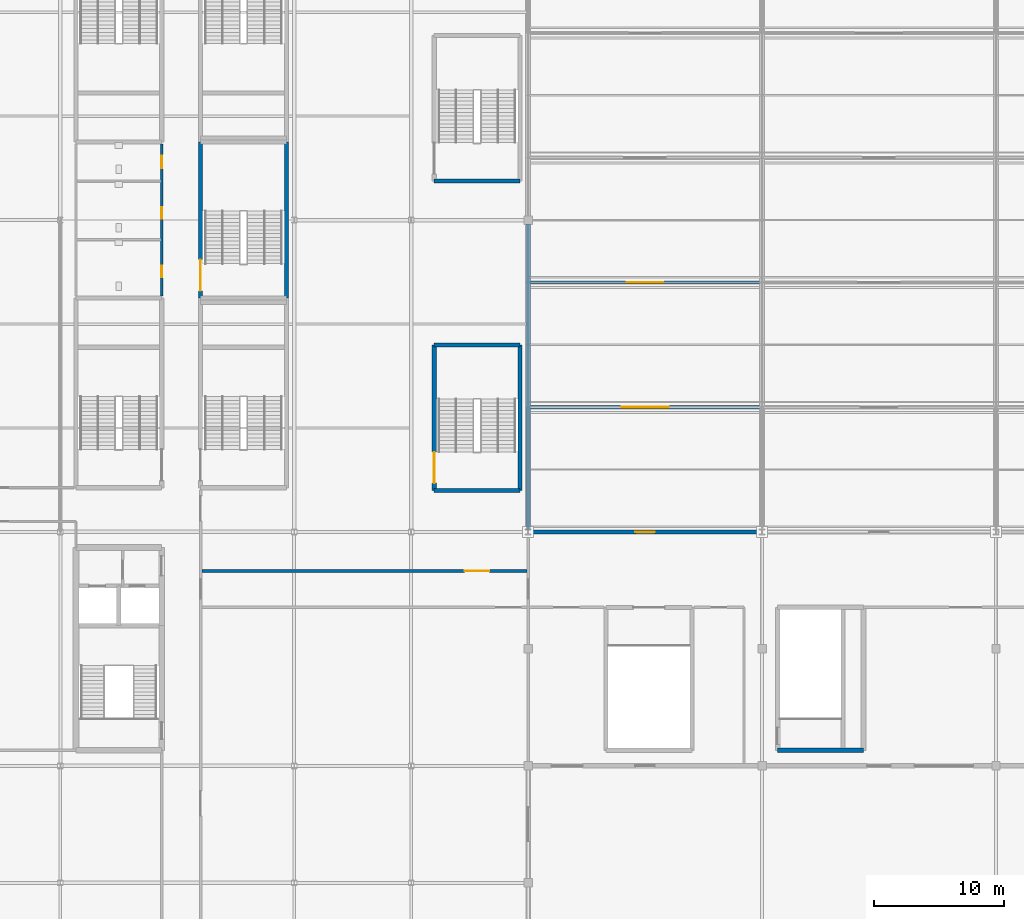
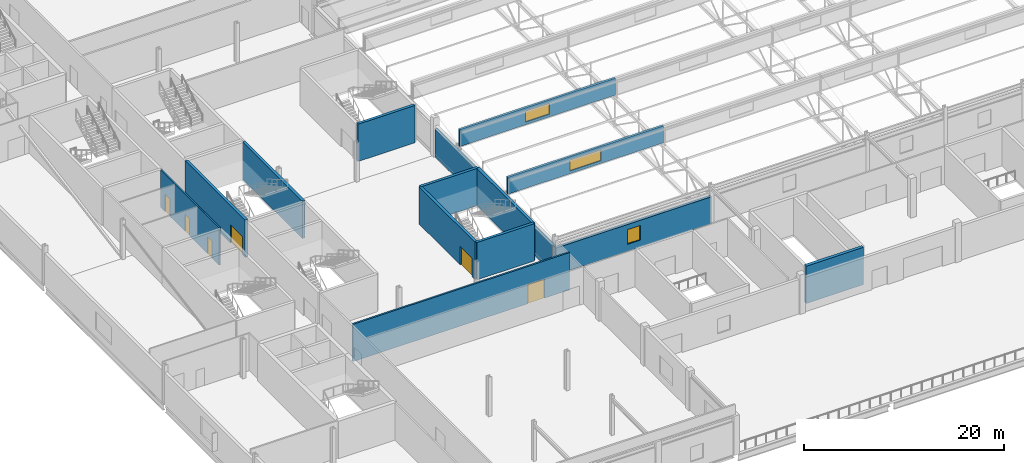
# One storey, part 96 of 136: 14 walls, 6 doors, 3 windows, 9 openings.
"""IFC4 building model written with IfcOpenShell, lengths in metres."""

from ifc_helpers import new_model, si_unit, direction, frame, frame_2d, origin, place, context, subcontext, project, spatial, rectangle, extrude, material, layer, layer_set, type_object, element, fill, save


model = new_model("IFC4")

# Units and contexts
model_context = context("Model", 3, precision=1e-05, world=origin(), true_north=direction((0.0, 1.0)))
body_context = subcontext(model_context, "Body", "Model", "MODEL_VIEW")
ifc_project = project(units=[si_unit("LENGTHUNIT", "METRE"), si_unit("AREAUNIT", "SQUARE_METRE"), si_unit("VOLUMEUNIT", "CUBIC_METRE"), si_unit("PLANEANGLEUNIT", "RADIAN"), si_unit("MASSUNIT", "GRAM", prefix="KILO")], contexts=[model_context])

# Site, building, storey
site_placement = place(None, origin())
site = spatial("IfcSite", under=ifc_project, at=site_placement, CompositionType="ELEMENT")
building_placement = place(site_placement, origin())
building = spatial("IfcBuilding", under=site, at=building_placement, Name="Kisiwana Market Hall", CompositionType="ELEMENT")
storey_placement = place(building_placement, frame((0.0, 0.0, 16.800048828125)))
storey = spatial("IfcBuildingStorey", under=building, at=storey_placement, Name="L03", CompositionType="ELEMENT", Elevation=16.800048828125)

# Wall, opening, door
ifc_material_1 = material(Name="Masonry blockwork", Category="masonry")
ifc_layer_1 = layer(ifc_material_1, 0.199951171875, Name="Plastered fire compartment block wall")
ifc_layer_set_1 = layer_set([ifc_layer_1], Name="WL-COMP-200")
wall_type_1 = type_object("IfcWallType", Name="WL-COMP-200", PredefinedType="PARTITIONING", material=ifc_layer_set_1)
wall_1_placement = place(storey_placement, frame((19.89990234375, 33.0, 0.0), z_axis=(0.0, 0.0, 1.0), x_axis=(1.0, 0.0, 0.0)))
wall_1 = element("IfcWall", 1, at=wall_1_placement, inside=storey, type_object=wall_type_1, Name="Interior partition W-1457", PredefinedType="PARTITIONING", context=body_context, shape_type="SweptSolid", body=[
    extrude(rectangle(XDim=25.01513671875, YDim=0.199951171875, at=frame_2d((12.507568359375, 0.0))), origin(), (0.0, 0.0, 1.0), 4.554931640625),
])
opening_1_placement = place(wall_1_placement, frame((20.219970703125, 0.0, 0.0)))
opening_1 = element("IfcOpeningElement", 2, at=opening_1_placement, cuts=wall_1, Name="Opening DR-L03-053", PredefinedType="OPENING", context=body_context, shape_type="SweptSolid", body=[
    extrude(rectangle(XDim=1.89990234375, YDim=2.35009765625, at=frame_2d((0.949951171875, 1.175048828125))), frame((0.0, 0.11181640625, 0.0), z_axis=(0.0, -1.0, 0.0), x_axis=(1.0, 0.0, 0.0)), (0.0, 0.0, 1.0), 0.223876953125),
])
ifc_material_2 = material(Name="Steel S275", Category="steel")
door_type_1 = type_object("IfcDoorType", Name="DR-HALL-1900", OperationType="DOUBLE_DOOR_SINGLE_SWING", PredefinedType="DOOR", material=ifc_material_2)
door_1_placement = place(opening_1_placement, origin())
door_1 = element("IfcDoor", 3, at=door_1_placement, inside=storey, type_object=door_type_1, Name="L03 W Civic Conference Hall Exit Door", OperationType="DOUBLE_DOOR_SINGLE_SWING", OverallHeight=2.35009765625, OverallWidth=1.89990234375, PredefinedType="DOOR", context=body_context, shape_type="SweptSolid", body=[
    extrude(rectangle(XDim=1.89990234375, YDim=2.35009765625, at=frame_2d((0.949951171875, 1.175048828125))), frame((0.0, 0.02490234375, 0.0), z_axis=(0.0, -1.0, 0.0), x_axis=(1.0, 0.0, 0.0)), (0.0, 0.0, 1.0), 0.050048828125),
])
fill(opening_1, door_1)

# Walls
ifc_material_3 = material(Name="Concrete C40/50", Category="concrete")
ifc_layer_2 = layer(ifc_material_3, 0.320068359375, Name="Reinforced concrete shaft wall")
ifc_layer_set_2 = layer_set([ifc_layer_2], Name="WL-CORE-320")
wall_type_2 = type_object("IfcWallType", Name="WL-CORE-320", PredefinedType="SHEAR", material=ifc_layer_set_2)
for number, where, z_axis, x_axis, name in (
    (4, (37.77001953125, 39.199951171875, 0.0), (0.0, 0.0, 1.0), (1.0, 0.0, 0.0), "Core W9 south shear wall W-1282"),
    (5, (37.77001953125, 50.39990234375, 0.0), (0.0, 0.0, 1.0), (1.0, 0.0, 0.0), "Core W9 north shear wall W-1283"),
):
    element("IfcWall", number, at=place(storey_placement, frame(where, z_axis=z_axis, x_axis=x_axis)), inside=storey, type_object=wall_type_2, Name=name, PredefinedType="SHEAR", context=body_context, shape_type="SweptSolid", body=[
        extrude(rectangle(XDim=6.60009765625, YDim=0.320068359375, at=frame_2d((3.300048828125, 0.0))), origin(), (0.0, 0.0, 1.0), 4.554931640625),
    ])

# Wall, opening, door
wall_2_placement = place(storey_placement, frame((37.77001953125, 39.199951171875, 0.0), z_axis=(0.0, 0.0, 1.0), x_axis=(0.0, 1.0, 0.0)))
wall_2 = element("IfcWall", 6, at=wall_2_placement, inside=storey, type_object=wall_type_2, Name="Core W9 corridor shear wall W-1284", PredefinedType="SHEAR", context=body_context, shape_type="SweptSolid", body=[
    extrude(rectangle(XDim=11.199951171875, YDim=0.320068359375, at=frame_2d((5.60009765625, 0.0))), origin(), (0.0, 0.0, 1.0), 4.554931640625),
])
opening_2_placement = place(wall_2_placement, frame((0.550048828125, 0.0, 0.0)))
opening_2 = element("IfcOpeningElement", 7, at=opening_2_placement, cuts=wall_2, Name="Opening DR-L03-027", PredefinedType="OPENING", context=body_context, shape_type="SweptSolid", body=[
    extrude(rectangle(XDim=2.39990234375, YDim=2.25, at=frame_2d((1.199951171875, 1.125))), frame((0.0, 0.171875, 0.0), z_axis=(0.0, -1.0, 0.0), x_axis=(1.0, 0.0, 0.0)), (0.0, 0.0, 1.0), 0.343994140625),
])
ifc_material_4 = material(Name="Steel S275", Category="steel")
door_type_2 = type_object("IfcDoorType", Name="DR-STAIR-FD120-2400", OperationType="DOUBLE_DOOR_SINGLE_SWING", PredefinedType="DOOR", material=ifc_material_4)
door_2_placement = place(opening_2_placement, frame((2.39990234375, 0.0, 0.0), z_axis=(0.0, 0.0, 1.0), x_axis=(-1.0, 0.0, 0.0)))
door_2 = element("IfcDoor", 8, at=door_2_placement, inside=storey, type_object=door_type_2, Name="Escape Stair W9 Fire Door (L03)", OperationType="DOUBLE_DOOR_SINGLE_SWING", OverallHeight=2.25, OverallWidth=2.39990234375, PredefinedType="DOOR", context=body_context, shape_type="SweptSolid", body=[
    extrude(rectangle(XDim=2.39990234375, YDim=2.25, at=frame_2d((1.199951171875, 1.125))), frame((0.0, 0.02490234375, 0.0), z_axis=(0.0, -1.0, 0.0), x_axis=(1.0, 0.0, 0.0)), (0.0, 0.0, 1.0), 0.050048828125),
])
fill(opening_2, door_2)

# Walls
wall_3_placement = place(storey_placement, frame((44.3701171875, 39.199951171875, 0.0), z_axis=(0.0, 0.0, 1.0), x_axis=(0.0, 1.0, 0.0)))
element("IfcWall", 9, at=wall_3_placement, inside=storey, type_object=wall_type_2, Name="Core W9 outer shear wall W-1285", PredefinedType="SHEAR", context=body_context, shape_type="SweptSolid", body=[
    extrude(rectangle(XDim=11.199951171875, YDim=0.320068359375, at=frame_2d((5.60009765625, 0.0))), origin(), (0.0, 0.0, 1.0), 4.554931640625),
])
wall_4_placement = place(storey_placement, frame((37.77001953125, 63.0, 0.0), z_axis=(0.0, 0.0, 1.0), x_axis=(1.0, 0.0, 0.0)))
element("IfcWall", 10, at=wall_4_placement, inside=storey, type_object=wall_type_2, Name="Core W10 south shear wall W-1290", PredefinedType="SHEAR", context=body_context, shape_type="SweptSolid", body=[
    extrude(rectangle(XDim=6.60009765625, YDim=0.320068359375, at=frame_2d((3.300048828125, 0.0))), origin(), (0.0, 0.0, 1.0), 4.554931640625),
])

# Wall, opening, door
wall_5_placement = place(storey_placement, frame((19.800048828125, 54.0, 0.0), z_axis=(0.0, 0.0, 1.0), x_axis=(0.0, 1.0, 0.0)))
wall_5 = element("IfcWall", 11, at=wall_5_placement, inside=storey, type_object=wall_type_2, Name="Core W5 corridor shear wall W-1300", PredefinedType="SHEAR", context=body_context, shape_type="SweptSolid", body=[
    extrude(rectangle(XDim=12.0, YDim=0.320068359375, at=frame_2d((6.0, 0.0))), origin(), (0.0, 0.0, 1.0), 4.554931640625),
])
opening_3_placement = place(wall_5_placement, frame((0.550048828125, 0.0, 0.0)))
opening_3 = element("IfcOpeningElement", 12, at=opening_3_placement, cuts=wall_5, Name="Opening DR-L03-031", PredefinedType="OPENING", context=body_context, shape_type="SweptSolid", body=[
    extrude(rectangle(XDim=2.39990234375, YDim=2.25, at=frame_2d((1.199951171875, 1.125))), frame((0.0, 0.171875, 0.0), z_axis=(0.0, -1.0, 0.0), x_axis=(1.0, 0.0, 0.0)), (0.0, 0.0, 1.0), 0.343994140625),
])
door_3_placement = place(opening_3_placement, frame((2.39990234375, 0.0, 0.0), z_axis=(0.0, 0.0, 1.0), x_axis=(-1.0, 0.0, 0.0)))
door_3 = element("IfcDoor", 13, at=door_3_placement, inside=storey, type_object=door_type_2, Name="Escape Stair W5 Fire Door (L03)", OperationType="DOUBLE_DOOR_SINGLE_SWING", OverallHeight=2.25, OverallWidth=2.39990234375, PredefinedType="DOOR", context=body_context, shape_type="SweptSolid", body=[
    extrude(rectangle(XDim=2.39990234375, YDim=2.25, at=frame_2d((1.199951171875, 1.125))), frame((0.0, 0.02490234375, 0.0), z_axis=(0.0, -1.0, 0.0), x_axis=(1.0, 0.0, 0.0)), (0.0, 0.0, 1.0), 0.050048828125),
])
fill(opening_3, door_3)

# Walls
wall_6_placement = place(storey_placement, frame((26.39990234375, 54.0, 0.0), z_axis=(0.0, 0.0, 1.0), x_axis=(0.0, 1.0, 0.0)))
element("IfcWall", 14, at=wall_6_placement, inside=storey, type_object=wall_type_2, Name="Core W5 outer shear wall W-1301", PredefinedType="SHEAR", context=body_context, shape_type="SweptSolid", body=[
    extrude(rectangle(XDim=12.0, YDim=0.320068359375, at=frame_2d((6.0, 0.0))), origin(), (0.0, 0.0, 1.0), 4.554931640625),
])
ifc_material_5 = material(Name="Concrete C40/50", Category="concrete")
ifc_layer_3 = layer(ifc_material_5, 0.360107421875, Name="Reinforced concrete core wall")
ifc_layer_set_3 = layer_set([ifc_layer_3], Name="WL-CORE-360")
wall_type_3 = type_object("IfcWallType", Name="WL-CORE-360", PredefinedType="SHEAR", material=ifc_layer_set_3)
wall_7_placement = place(storey_placement, frame((64.199951171875, 19.199951171875, 0.0), z_axis=(0.0, 0.0, 1.0), x_axis=(1.0, 0.0, 0.0)))
element("IfcWall", 15, at=wall_7_placement, inside=storey, type_object=wall_type_3, Name="Core S1 south wall W-1220", PredefinedType="SHEAR", context=body_context, shape_type="SweptSolid", body=[
    extrude(rectangle(XDim=6.60009765625, YDim=0.360107421875, at=frame_2d((3.300048828125, 0.0))), origin(), (0.0, 0.0, 1.0), 4.554931640625),
])

# Wall, openings, doors
ifc_material_6 = material(Name="Masonry blockwork", Category="masonry")
ifc_layer_4 = layer(ifc_material_6, 0.169921875, Name="Protected corridor partition")
ifc_layer_set_4 = layer_set([ifc_layer_4], Name="WL-CORR-170")
wall_type_4 = type_object("IfcWallType", Name="WL-CORR-170", PredefinedType="PARTITIONING", material=ifc_layer_set_4)
wall_8_placement = place(storey_placement, frame((16.800048828125, 54.159912109375, 0.0), z_axis=(0.0, 0.0, 1.0), x_axis=(0.0, 1.0, 0.0)))
wall_8 = element("IfcWall", 16, at=wall_8_placement, inside=storey, type_object=wall_type_4, Name="Interior partition W-1443", PredefinedType="PARTITIONING", context=body_context, shape_type="SweptSolid", body=[
    extrude(rectangle(XDim=11.68017578125, YDim=0.169921875, at=frame_2d((5.840087890625, 0.0))), origin(), (0.0, 0.0, 1.0), 4.554931640625),
])
opening_4_placement = place(wall_8_placement, frame((1.43994140625, 0.0, 0.0)))
opening_4 = element("IfcOpeningElement", 17, at=opening_4_placement, cuts=wall_8, Name="Opening DR-L03-041", PredefinedType="OPENING", context=body_context, shape_type="SweptSolid", body=[
    extrude(rectangle(XDim=0.89990234375, YDim=2.10009765625, at=frame_2d((0.449951171875, 1.050048828125))), frame((0.0, 0.096923828125, 0.0), z_axis=(0.0, -1.0, 0.0), x_axis=(1.0, 0.0, 0.0)), (0.0, 0.0, 1.0), 0.19384765625),
])
opening_5_placement = place(wall_8_placement, frame((5.93994140625, 0.0, 0.0)))
opening_5 = element("IfcOpeningElement", 18, at=opening_5_placement, cuts=wall_8, Name="Opening DR-L03-042", PredefinedType="OPENING", context=body_context, shape_type="SweptSolid", body=[
    extrude(rectangle(XDim=0.89990234375, YDim=2.10009765625, at=frame_2d((0.449951171875, 1.050048828125))), frame((0.0, 0.096923828125, 0.0), z_axis=(0.0, -1.0, 0.0), x_axis=(1.0, 0.0, 0.0)), (0.0, 0.0, 1.0), 0.19384765625),
])
opening_6_placement = place(wall_8_placement, frame((9.840087890625, 0.0, 0.0)))
opening_6 = element("IfcOpeningElement", 19, at=opening_6_placement, cuts=wall_8, Name="Opening DR-L03-043", PredefinedType="OPENING", context=body_context, shape_type="SweptSolid", body=[
    extrude(rectangle(XDim=0.949951171875, YDim=2.10009765625, at=frame_2d((0.47509765625, 1.050048828125))), frame((0.0, 0.096923828125, 0.0), z_axis=(0.0, -1.0, 0.0), x_axis=(1.0, 0.0, 0.0)), (0.0, 0.0, 1.0), 0.19384765625),
])
ifc_material_7 = material(Name="Aluminium alloy 6063-T6", Category="aluminium")
door_type_3 = type_object("IfcDoorType", Name="DR-WC-ACC-950", OperationType="NOTDEFINED", PredefinedType="DOOR", material=ifc_material_7)
door_4_placement = place(opening_6_placement, origin())
door_4 = element("IfcDoor", 20, at=door_4_placement, inside=storey, type_object=door_type_3, Name="L03 W Accessible WC Door", OperationType="SINGLE_SWING_RIGHT", OverallHeight=2.10009765625, OverallWidth=0.949951171875, PredefinedType="DOOR", context=body_context, shape_type="SweptSolid", body=[
    extrude(rectangle(XDim=0.949951171875, YDim=2.10009765625, at=frame_2d((0.47509765625, 1.050048828125))), frame((0.0, 0.02490234375, 0.0), z_axis=(0.0, -1.0, 0.0), x_axis=(1.0, 0.0, 0.0)), (0.0, 0.0, 1.0), 0.050048828125),
])
fill(opening_6, door_4)
ifc_material_8 = material(Name="Aluminium alloy 6063-T6", Category="aluminium")
door_type_4 = type_object("IfcDoorType", Name="DR-WC-STD-900", OperationType="NOTDEFINED", PredefinedType="DOOR", material=ifc_material_8)
door_5_placement = place(opening_4_placement, origin())
door_5 = element("IfcDoor", 21, at=door_5_placement, inside=storey, type_object=door_type_4, Name="L03 W Male Toilet Door", OperationType="SINGLE_SWING_LEFT", OverallHeight=2.10009765625, OverallWidth=0.89990234375, PredefinedType="DOOR", context=body_context, shape_type="SweptSolid", body=[
    extrude(rectangle(XDim=0.89990234375, YDim=2.10009765625, at=frame_2d((0.449951171875, 1.050048828125))), frame((0.0, 0.02490234375, 0.0), z_axis=(0.0, -1.0, 0.0), x_axis=(1.0, 0.0, 0.0)), (0.0, 0.0, 1.0), 0.050048828125),
])
fill(opening_4, door_5)
door_6_placement = place(opening_5_placement, origin())
door_6 = element("IfcDoor", 22, at=door_6_placement, inside=storey, type_object=door_type_4, Name="L03 W Female Toilet Door", OperationType="SINGLE_SWING_RIGHT", OverallHeight=2.10009765625, OverallWidth=0.89990234375, PredefinedType="DOOR", context=body_context, shape_type="SweptSolid", body=[
    extrude(rectangle(XDim=0.89990234375, YDim=2.10009765625, at=frame_2d((0.449951171875, 1.050048828125))), frame((0.0, 0.02490234375, 0.0), z_axis=(0.0, -1.0, 0.0), x_axis=(1.0, 0.0, 0.0)), (0.0, 0.0, 1.0), 0.050048828125),
])
fill(opening_5, door_6)

# Wall, opening, window
ifc_material_9 = material(Name="Aluminium alloy 6063-T6", Category="aluminium")
ifc_layer_5 = layer(ifc_material_9, 0.06005859375, Name="Insulated metal-clad clerestory wall")
ifc_material_10 = material(Name="Mineral wool insulation")
ifc_layer_6 = layer(ifc_material_10, 0.10009765625, Name="Mineral wool core")
ifc_material_11 = material(Name="Masonry blockwork", Category="masonry")
ifc_layer_7 = layer(ifc_material_11, 0.10009765625, Name="Masonry backing")
ifc_layer_set_5 = layer_set([ifc_layer_5, ifc_layer_6, ifc_layer_7], Name="WL-EXT-CLER-260")
wall_type_5 = type_object("IfcWallType", Name="WL-EXT-CLER-260", PredefinedType="STANDARD", material=ifc_layer_set_5)
wall_9_placement = place(storey_placement, frame((45.010009765625, 45.60009765625, 4.0048828125), z_axis=(0.0, 0.0, 1.0), x_axis=(1.0, 0.0, 0.0)))
wall_9 = element("IfcWall", 23, at=wall_9_placement, inside=storey, type_object=wall_type_5, Name="Sawtooth clerestory wall W-1410", PredefinedType="STANDARD", context=body_context, shape_type="SweptSolid", body=[
    extrude(rectangle(XDim=17.989990234375, YDim=0.260009765625, at=frame_2d((8.9951171875, 0.0))), origin(), (0.0, 0.0, 1.0), 2.049072265625),
])
opening_7_placement = place(wall_9_placement, frame((7.195068359375, 0.0, 0.320068359375)))
opening_7 = element("IfcOpeningElement", 24, at=opening_7_placement, cuts=wall_9, Name="Opening WN-09", PredefinedType="OPENING", context=body_context, shape_type="SweptSolid", body=[
    extrude(rectangle(XDim=3.60009765625, YDim=1.35009765625, at=frame_2d((1.800048828125, 0.675048828125))), frame((0.0, 0.14208984375, 0.0), z_axis=(0.0, -1.0, 0.0), x_axis=(1.0, 0.0, 0.0)), (0.0, 0.0, 1.0), 0.283935546875),
])
ifc_material_12 = material(Name="Double-glazed solar-control low-E IGU", Category="glass")
window_type_1 = type_object("IfcWindowType", Name="WN-CLER-3600x1500", PartitioningType="SINGLE_PANEL", PredefinedType="SKYLIGHT", material=ifc_material_12)
window_1_placement = place(opening_7_placement, origin())
window_1 = element("IfcWindow", 25, at=window_1_placement, inside=storey, type_object=window_type_1, Name="North-light sawtooth clerestory WN-063", OverallHeight=1.35009765625, OverallWidth=3.60009765625, PartitioningType="SINGLE_PANEL", PredefinedType="SKYLIGHT", context=body_context, shape_type="SweptSolid", body=[
    extrude(rectangle(XDim=3.60009765625, YDim=1.35009765625, at=frame_2d((1.800048828125, 0.675048828125))), frame((0.0, 0.030029296875, 0.0), z_axis=(0.0, -1.0, 0.0), x_axis=(1.0, 0.0, 0.0)), (0.0, 0.0, 1.0), 0.06005859375),
])
fill(opening_7, window_1)

wall_10_placement = place(storey_placement, frame((45.010009765625, 55.199951171875, 4.0048828125), z_axis=(0.0, 0.0, 1.0), x_axis=(1.0, 0.0, 0.0)))
wall_10 = element("IfcWall", 26, at=wall_10_placement, inside=storey, type_object=wall_type_5, Name="Sawtooth clerestory wall W-1417", PredefinedType="STANDARD", context=body_context, shape_type="SweptSolid", body=[
    extrude(rectangle(XDim=17.989990234375, YDim=0.260009765625, at=frame_2d((8.9951171875, 0.0))), origin(), (0.0, 0.0, 1.0), 2.049072265625),
])
opening_8_placement = place(wall_10_placement, frame((7.594970703125, 0.0, 0.320068359375)))
opening_8 = element("IfcOpeningElement", 27, at=opening_8_placement, cuts=wall_10, Name="Opening WN-26", PredefinedType="OPENING", context=body_context, shape_type="SweptSolid", body=[
    extrude(rectangle(XDim=2.800048828125, YDim=1.35009765625, at=frame_2d((1.39990234375, 0.675048828125))), frame((0.0, 0.14208984375, 0.0), z_axis=(0.0, -1.0, 0.0), x_axis=(1.0, 0.0, 0.0)), (0.0, 0.0, 1.0), 0.283935546875),
])
ifc_material_13 = material(Name="Double-glazed solar-control low-E IGU", Category="glass")
window_type_2 = type_object("IfcWindowType", Name="WN-CLER-2800x1500", PartitioningType="SINGLE_PANEL", PredefinedType="SKYLIGHT", material=ifc_material_13)
window_2_placement = place(opening_8_placement, origin())
window_2 = element("IfcWindow", 28, at=window_2_placement, inside=storey, type_object=window_type_2, Name="North-light sawtooth clerestory WN-138", OverallHeight=1.35009765625, OverallWidth=2.800048828125, PartitioningType="SINGLE_PANEL", PredefinedType="SKYLIGHT", context=body_context, shape_type="SweptSolid", body=[
    extrude(rectangle(XDim=2.800048828125, YDim=1.35009765625, at=frame_2d((1.39990234375, 0.675048828125))), frame((0.0, 0.030029296875, 0.0), z_axis=(0.0, -1.0, 0.0), x_axis=(1.0, 0.0, 0.0)), (0.0, 0.0, 1.0), 0.06005859375),
])
fill(opening_8, window_2)

ifc_material_14 = material(Name="Concrete C40/50 precast", Category="concrete")
ifc_layer_8 = layer(ifc_material_14, 0.14990234375, Name="Precast architectural concrete spandrel")
ifc_material_15 = material(Name="Mineral wool insulation")
ifc_layer_9 = layer(ifc_material_15, 0.090087890625, Name="Rockwool thermal insulation")
ifc_material_16 = material(Name="Masonry blockwork", Category="masonry")
ifc_layer_10 = layer(ifc_material_16, 0.10009765625, Name="Inner masonry block leaf")
ifc_layer_set_6 = layer_set([ifc_layer_8, ifc_layer_9, ifc_layer_10], Name="WL-EXT-PREC-340")
wall_type_6 = type_object("IfcWallType", Name="WL-EXT-PREC-340", PredefinedType="STANDARD", material=ifc_layer_set_6)
wall_11_placement = place(storey_placement, frame((45.010009765625, 36.0, 0.0), z_axis=(0.0, 0.0, 1.0), x_axis=(1.0, 0.0, 0.0)))
wall_11 = element("IfcWall", 29, at=wall_11_placement, inside=storey, type_object=wall_type_6, Name="Exterior wall W-1352", PredefinedType="STANDARD", context=body_context, shape_type="SweptSolid", body=[
    extrude(rectangle(XDim=17.97998046875, YDim=0.340087890625, at=frame_2d((8.989990234375, 0.0))), origin(), (0.0, 0.0, 1.0), 3.27685546875),
])
opening_9_placement = place(wall_11_placement, frame((8.239990234375, 0.0, 0.85009765625)))
opening_9 = element("IfcOpeningElement", 30, at=opening_9_placement, cuts=wall_11, Name="Opening WN-14", PredefinedType="OPENING", context=body_context, shape_type="SweptSolid", body=[
    extrude(rectangle(XDim=1.5, YDim=1.800048828125, at=frame_2d((0.75, 0.89990234375))), frame((0.0, 0.18212890625, 0.0), z_axis=(0.0, -1.0, 0.0), x_axis=(1.0, 0.0, 0.0)), (0.0, 0.0, 1.0), 0.364013671875),
])
ifc_material_17 = material(Name="Double-glazed solar-control low-E IGU", Category="glass")
window_type_3 = type_object("IfcWindowType", Name="WN-POD-1500x1800", PartitioningType="SINGLE_PANEL", PredefinedType="WINDOW", material=ifc_material_17)
window_3_placement = place(opening_9_placement, origin())
window_3 = element("IfcWindow", 31, at=window_3_placement, inside=storey, type_object=window_type_3, Name="Exterior window WN-083", OverallHeight=1.800048828125, OverallWidth=1.5, PartitioningType="SINGLE_PANEL", PredefinedType="WINDOW", context=body_context, shape_type="SweptSolid", body=[
    extrude(rectangle(XDim=1.5, YDim=1.800048828125, at=frame_2d((0.75, 0.89990234375))), frame((0.0, 0.030029296875, 0.0), z_axis=(0.0, -1.0, 0.0), x_axis=(1.0, 0.0, 0.0)), (0.0, 0.0, 1.0), 0.06005859375),
])
fill(opening_9, window_3)

# Wall
wall_12_placement = place(storey_placement, frame((45.0, 36.198486328125, 0.0), z_axis=(0.0, 0.0, 1.0), x_axis=(0.0, 1.0, 0.0)))
element("IfcWall", 32, at=wall_12_placement, inside=storey, type_object=wall_type_6, Name="Exterior wall W-1392", PredefinedType="STANDARD", context=body_context, shape_type="SweptSolid", body=[
    extrude(rectangle(XDim=23.484619140625, YDim=0.340087890625, at=frame_2d((11.7421875, 0.0))), origin(), (0.0, 0.0, 1.0), 3.423095703125),
])

save(model, "model.ifc")
